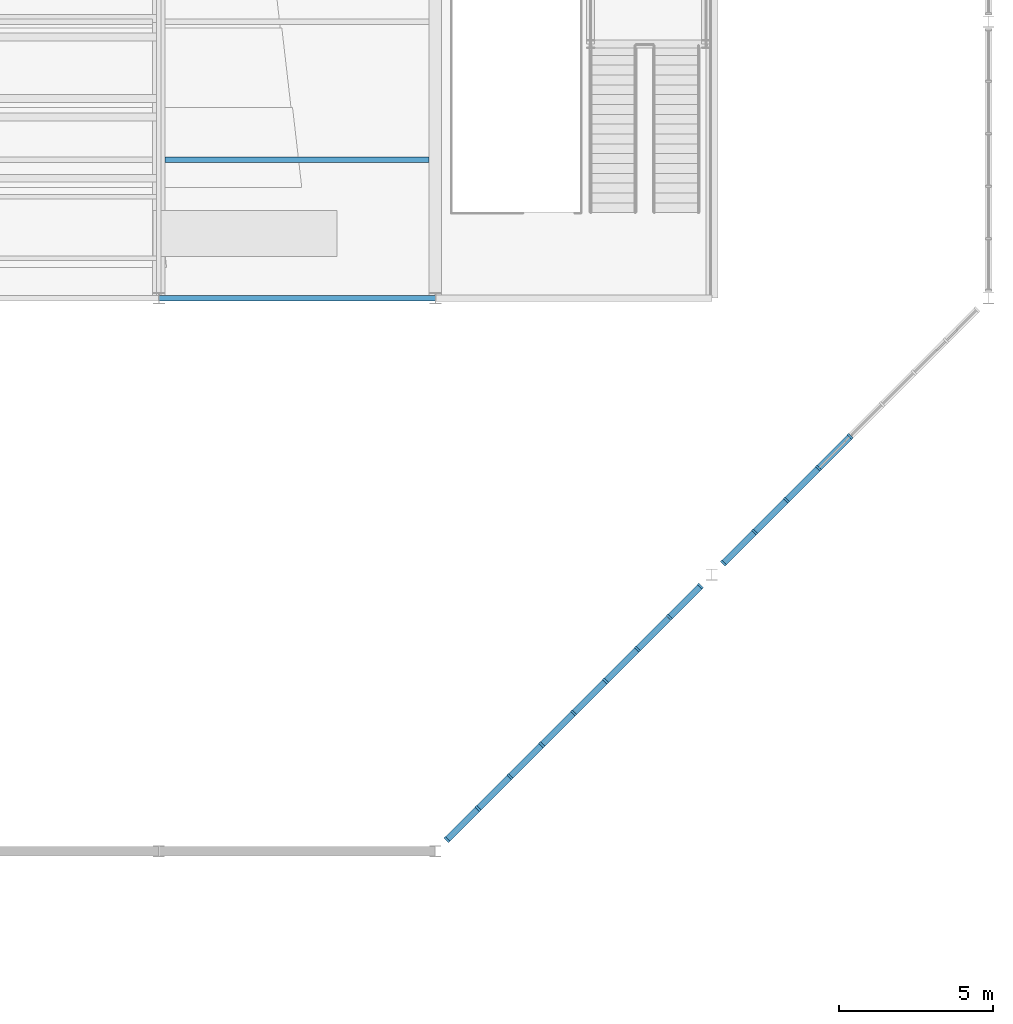
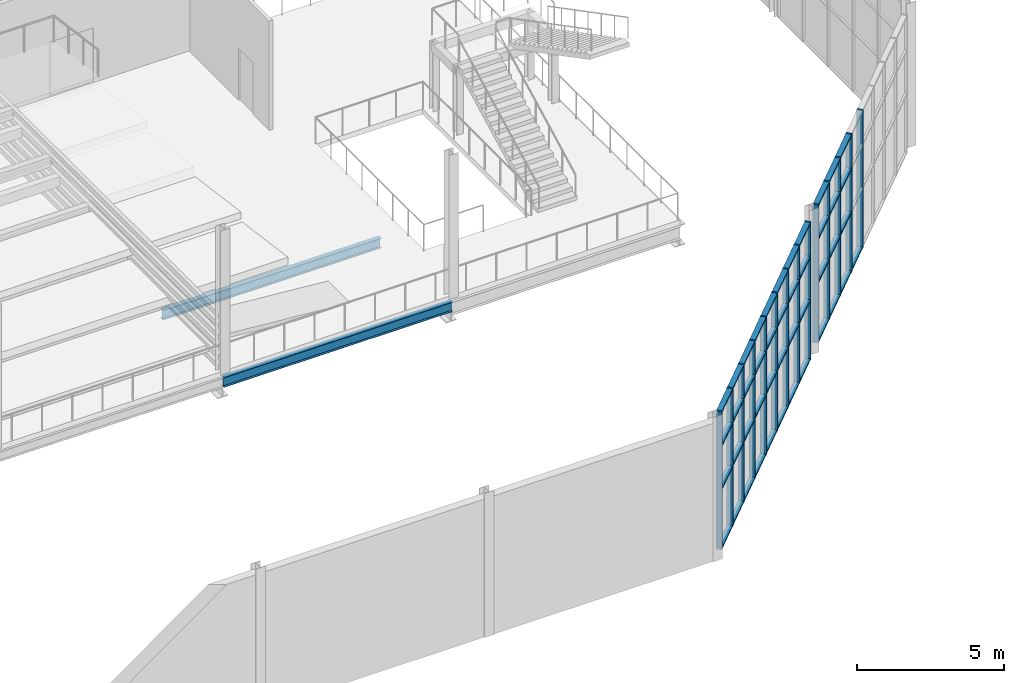
# One storey, part 28 of 159: 59 members, 2 beams, 2 elements without a shape of their own.
"""IFC4 building model written with IfcOpenShell, lengths in metres."""

import ifcopenshell
import ifcopenshell.guid

model = None  # the IFC model being written
_history = None  # IfcOwnerHistory: only IFC2X3 demands one
_inside = {}  # id of a spatial element -> (the spatial element, [elements in it])
_under = {}  # id of a project, library or spatial element -> (it, [spatial elements below it])
_declared = {}  # id of a project -> (the project, [libraries it declares])
_typed = {}  # id of a type object -> (the type object, [elements of that type])
_made_of = {}  # id of a material, layer set ... -> (it, [elements and type objects made of it])


def new_model(schema):
    """Start an empty IFC model of exactly this schema.

    Asked for "IFC4X3", IfcOpenShell would pick the latest addendum, in which some entities
    have other attributes; the version numbers below select the first issue.
    IFC2X3 requires an IfcOwnerHistory on every rooted entity: one is made here for all.
    """
    global model, _history
    if schema == "IFC4X3":
        model = ifcopenshell.file(schema_version=(4, 3, 0, 0))
    else:
        model = ifcopenshell.file(schema=schema)
    _inside.clear()
    _under.clear()
    _declared.clear()
    _typed.clear()
    _made_of.clear()
    _history = None
    if model.schema == "IFC2X3":
        org = make("IfcOrganization", Name="unknown")
        user = make(
            "IfcPersonAndOrganization",
            ThePerson=make("IfcPerson", FamilyName="unknown"),
            TheOrganization=org,
        )
        app = make(
            "IfcApplication",
            ApplicationDeveloper=org,
            Version="unknown",
            ApplicationFullName="unknown",
            ApplicationIdentifier="unknown",
        )
        _history = make(
            "IfcOwnerHistory",
            OwningUser=user,
            OwningApplication=app,
            ChangeAction="ADDED",
            CreationDate=0,
        )
    return model


def make(cls, **values):
    """One entity of the class cls with the attributes given. An attribute that is None is left unset."""
    return model.create_entity(
        cls, **{name: value for name, value in values.items() if value is not None}
    )


def rooted(cls, **values):
    """An entity with a GlobalId (a new one), such as an element, a storey or a relation."""
    return make(cls, GlobalId=ifcopenshell.guid.new(), OwnerHistory=_history, **values)


def si_unit(unit_type, name, prefix=None):
    """IfcSIUnit, for example si_unit("LENGTHUNIT", "METRE", prefix="MILLI")."""
    return make("IfcSIUnit", UnitType=unit_type, Prefix=prefix, Name=name)


def assignment(units):
    """IfcUnitAssignment: the units of a project."""
    return None if units is None else make("IfcUnitAssignment", Units=units)


def point(xyz):
    """IfcCartesianPoint."""
    return None if xyz is None else make("IfcCartesianPoint", Coordinates=xyz)


def direction(xyz):
    """IfcDirection."""
    return None if xyz is None else make("IfcDirection", DirectionRatios=xyz)


def frame(location, z_axis=None, x_axis=None):
    """IfcAxis2Placement3D, a coordinate frame: its origin and axes. An axis left out is left unset."""
    return make(
        "IfcAxis2Placement3D",
        Location=point(location),
        Axis=direction(z_axis),
        RefDirection=direction(x_axis),
    )


def frame_2d(location, x_axis=None):
    """IfcAxis2Placement2D, a coordinate frame in the plane: its origin and x axis."""
    return make(
        "IfcAxis2Placement2D", Location=point(location), RefDirection=direction(x_axis)
    )


def origin():
    """The frame at (0, 0, 0) with its axes left unset."""
    return frame((0.0, 0.0, 0.0))


def origin_2d():
    """The frame at (0, 0) in the plane with its x axis left unset."""
    return frame_2d((0.0, 0.0))


def place(relative_to, where):
    """IfcLocalPlacement: puts the frame where relative to a parent placement (None: the world)."""
    return make(
        "IfcLocalPlacement", PlacementRelTo=relative_to, RelativePlacement=where
    )


def context(
    kind, dimensions, precision=None, world=None, true_north=None, identifier=None
):
    """IfcGeometricRepresentationContext, for example the 3D "Model" context."""
    return make(
        "IfcGeometricRepresentationContext",
        ContextIdentifier=identifier,
        ContextType=kind,
        CoordinateSpaceDimension=dimensions,
        Precision=precision,
        WorldCoordinateSystem=world,
        TrueNorth=true_north,
    )


def subcontext(parent, identifier, kind, view, scale=None):
    """IfcGeometricRepresentationSubContext, for example "Body" below "Model"."""
    return make(
        "IfcGeometricRepresentationSubContext",
        ContextIdentifier=identifier,
        ContextType=kind,
        ParentContext=parent,
        TargetScale=scale,
        TargetView=view,
    )


def project(units=None, contexts=None):
    """IfcProject with its units and contexts."""
    return rooted(
        "IfcProject",
        Name="project",
        RepresentationContexts=contexts,
        UnitsInContext=assignment(units),
    )


def spatial(cls, under=None, at=None, **own):
    """A site, building, storey or space (cls), placed at a placement, below another one or the project."""
    s = rooted(cls, ObjectPlacement=at, **own)
    if under is not None:
        _under.setdefault(under.id(), (under, []))[1].append(s)
    return s


def profile(cls, at=None, kind="AREA", **sizes):
    """A parametric profile (cls). Its sizes go by their IFC names, for example OverallWidth=200.0."""
    return make(cls, ProfileType=kind, Position=at, **sizes)


def rectangle(**sizes):
    """IfcRectangleProfileDef."""
    return profile("IfcRectangleProfileDef", **sizes)


def i_section(**sizes):
    """IfcIShapeProfileDef."""
    return profile("IfcIShapeProfileDef", **sizes)


def extrude(swept, where, along, depth):
    """IfcExtrudedAreaSolid: the profile swept, set in the frame where, extruded along a direction by depth."""
    return make(
        "IfcExtrudedAreaSolid",
        SweptArea=swept,
        Position=where,
        ExtrudedDirection=direction(along),
        Depth=depth,
    )


def shape(context_of_items, identifier, shape_type, items):
    """IfcShapeRepresentation: the items that make up one representation, for example the "Body"."""
    return make(
        "IfcShapeRepresentation",
        ContextOfItems=context_of_items,
        RepresentationIdentifier=identifier,
        RepresentationType=shape_type,
        Items=items,
    )


def material(Name=None, Category=None):
    """IfcMaterial."""
    return make("IfcMaterial", Name=Name, Category=Category)


def layer(
    of_material, thickness, ventilated=None, Name=None, Category=None, Priority=None
):
    """IfcMaterialLayer: one layer of a wall or slab, of a material (None: an air gap)."""
    return make(
        "IfcMaterialLayer",
        Material=of_material,
        LayerThickness=thickness,
        IsVentilated=ventilated,
        Name=Name,
        Category=Category,
        Priority=Priority,
    )


def layer_set(layers, Name=None):
    """IfcMaterialLayerSet."""
    return make("IfcMaterialLayerSet", MaterialLayers=layers, LayerSetName=Name)


def material_profile(
    of_material, cross_section, Name=None, Category=None, Priority=None
):
    """IfcMaterialProfile: a cross section and its material."""
    return make(
        "IfcMaterialProfile",
        Name=Name,
        Material=of_material,
        Profile=cross_section,
        Priority=Priority,
        Category=Category,
    )


def profile_set(profiles, Name=None, composite=None):
    """IfcMaterialProfileSet."""
    return make(
        "IfcMaterialProfileSet",
        Name=Name,
        MaterialProfiles=profiles,
        CompositeProfile=composite,
    )


def made_of(thing, what):
    """Note that an element or type object is made of a material, layer set ...; save() writes the relation."""
    if what is not None:
        _made_of.setdefault(what.id(), (what, []))[1].append(thing)
    return thing


def type_object(cls, material=None, **own):
    """A type object (cls), such as IfcWallType, which elements share."""
    return made_of(rooted(cls, **own), material)


def element(
    cls,
    number,
    at=None,
    inside=None,
    cuts=None,
    type_object=None,
    material=None,
    context=None,
    identifier="Body",
    shape_type=None,
    held_by="IfcProductDefinitionShape",
    body=None,
    shapes=None,
    **own,
):
    """One element of the class cls, such as IfcWall. Its Tag is "e" and its number.

    at: its placement. inside: the storey or other place that contains it. cuts: it is an
    opening in that element (IfcRelVoidsElement). A single representation is given by context,
    identifier, shape_type and body (its items); several are given by shapes. held_by: the class
    of the entity that holds the representations. save() writes the other relations.
    """
    e = rooted(cls, Tag="e%d" % number, ObjectPlacement=at, **own)
    if body is not None:
        shapes = [shape(context, identifier, shape_type, body)]
    if shapes is not None:
        e.Representation = make(held_by, Representations=shapes)
    if inside is not None:
        _inside.setdefault(inside.id(), (inside, []))[1].append(e)
    if cuts is not None:
        rooted(
            "IfcRelVoidsElement", RelatingBuildingElement=cuts, RelatedOpeningElement=e
        )
    if type_object is not None:
        _typed.setdefault(type_object.id(), (type_object, []))[1].append(e)
    return made_of(e, material)


def aggregate(whole, parts):
    """IfcRelAggregates: a whole, such as a stair, and the parts it consists of."""
    return rooted("IfcRelAggregates", RelatingObject=whole, RelatedObjects=parts)


def save(model, path):
    """Write the relations noted so far, then the file.

    IfcRelAggregates (storeys below a building ...), IfcRelContainedInSpatialStructure (elements
    in a storey), IfcRelDefinesByType, IfcRelAssociatesMaterial and IfcRelDeclares: one each for
    every whole, place, type object, material and project.
    """
    for whole, parts in _under.values():
        aggregate(whole, parts)
    for where, things in _inside.values():
        rooted(
            "IfcRelContainedInSpatialStructure",
            RelatedElements=things,
            RelatingStructure=where,
        )
    for kind, things in _typed.values():
        rooted("IfcRelDefinesByType", RelatedObjects=things, RelatingType=kind)
    for what, things in _made_of.values():
        rooted("IfcRelAssociatesMaterial", RelatedObjects=things, RelatingMaterial=what)
    for by, libraries in _declared.values():
        rooted("IfcRelDeclares", RelatingContext=by, RelatedDefinitions=libraries)
    model.write(path)


model = new_model("IFC4")

# Units and contexts
model_context = context("Model", 3, precision=1e-05, world=origin(), true_north=direction((0.0, 1.0)))
body_context = subcontext(model_context, "Body", "Model", "MODEL_VIEW")
ifc_project = project(units=[si_unit("LENGTHUNIT", "METRE"), si_unit("AREAUNIT", "SQUARE_METRE"), si_unit("VOLUMEUNIT", "CUBIC_METRE"), si_unit("PLANEANGLEUNIT", "RADIAN"), si_unit("MASSUNIT", "GRAM", prefix="KILO")], contexts=[model_context])

# Site, building, storey
site_placement = place(None, origin())
site = spatial("IfcSite", under=ifc_project, at=site_placement, CompositionType="ELEMENT")
building_placement = place(site_placement, origin())
building = spatial("IfcBuilding", under=site, at=building_placement, Name="Cazmaro Siding Exhibition Halls", CompositionType="ELEMENT")
storey_placement = place(building_placement, frame((0.0, 0.0, 6.0)))
storey = spatial("IfcBuildingStorey", under=building, at=storey_placement, Name="L01", CompositionType="ELEMENT", Elevation=6.0)

# Curtain wall, members
ifc_material_1 = material(Name="Anodized Bronze Aluminum and Solar-Control Low-E Glazing", Category="aluminium")
ifc_layer = layer(ifc_material_1, 0.219970703125)
ifc_layer_set = layer_set([ifc_layer], Name="Anodized Bronze Aluminum and Solar-Control Low-E Glazing")
curtain_wall_type = type_object("IfcCurtainWallType", Name="CWS-03", PredefinedType="USERDEFINED", material=ifc_layer_set)
curtain_wall_1_placement = place(storey_placement, origin())
curtain_wall_1 = element("IfcCurtainWall", 1, at=curtain_wall_1_placement, inside=storey, type_object=curtain_wall_type, Name="Glazed Curtain Wall CWS-03 CW-212", ObjectType="GLAZED CURTAIN WALL", PredefinedType="USERDEFINED")
ifc_material_2 = material(Name="Anodized Bronze Extruded Aluminum", Category="aluminium")
ifc_material_profile_1 = material_profile(ifc_material_2, rectangle(XDim=0.219970703125, YDim=0.070068359375, at=origin_2d()), Name="CWM-03")
ifc_profile_set_1 = profile_set([ifc_material_profile_1], Name="Anodized Bronze Extruded Aluminum")
member_type_1 = type_object("IfcMemberType", Name="CWM-03", PredefinedType="MULLION", material=ifc_profile_set_1)
member_1_placement = place(storey_placement, frame((45.374755859375, 9.374755859375, 0.0), z_axis=(0.0, 0.0, 1.0), x_axis=(-0.707106781187, 0.707106781187, 0.0)))
member_1 = element("IfcMember", 2, at=member_1_placement, type_object=member_type_1, Name="CWS-03 mullion 1", PredefinedType="MULLION", context=body_context, shape_type="SweptSolid", body=[
    extrude(rectangle(XDim=0.219970703125, YDim=0.070068359375, at=origin_2d()), origin(), (0.0, 0.0, 1.0), 5.75),
])
member_2_placement = place(storey_placement, frame((46.387451171875, 10.387451171875, 0.0), z_axis=(0.0, 0.0, 1.0), x_axis=(-0.707106781187, 0.707106781187, 0.0)))
member_2 = element("IfcMember", 3, at=member_2_placement, type_object=member_type_1, Name="CWS-03 mullion 2", PredefinedType="MULLION", context=body_context, shape_type="SweptSolid", body=[
    extrude(rectangle(XDim=0.219970703125, YDim=0.070068359375, at=origin_2d()), origin(), (0.0, 0.0, 1.0), 5.75),
])
member_3_placement = place(storey_placement, frame((47.425048828125, 11.425048828125, 0.0), z_axis=(0.0, 0.0, 1.0), x_axis=(-0.707106781187, 0.707106781187, 0.0)))
member_3 = element("IfcMember", 4, at=member_3_placement, type_object=member_type_1, Name="CWS-03 mullion 3", PredefinedType="MULLION", context=body_context, shape_type="SweptSolid", body=[
    extrude(rectangle(XDim=0.219970703125, YDim=0.070068359375, at=origin_2d()), origin(), (0.0, 0.0, 1.0), 5.75),
])
member_4_placement = place(storey_placement, frame((48.46240234375, 12.46240234375, 0.0), z_axis=(0.0, 0.0, 1.0), x_axis=(-0.707106781187, 0.707106781187, 0.0)))
member_4 = element("IfcMember", 5, at=member_4_placement, type_object=member_type_1, Name="CWS-03 mullion 4", PredefinedType="MULLION", context=body_context, shape_type="SweptSolid", body=[
    extrude(rectangle(XDim=0.219970703125, YDim=0.070068359375, at=origin_2d()), origin(), (0.0, 0.0, 1.0), 5.75),
])
member_5_placement = place(storey_placement, frame((49.5, 13.5, 0.0), z_axis=(0.0, 0.0, 1.0), x_axis=(-0.707106781187, 0.707106781187, 0.0)))
member_5 = element("IfcMember", 6, at=member_5_placement, type_object=member_type_1, Name="CWS-03 mullion 5", PredefinedType="MULLION", context=body_context, shape_type="SweptSolid", body=[
    extrude(rectangle(XDim=0.219970703125, YDim=0.070068359375, at=origin_2d()), origin(), (0.0, 0.0, 1.0), 5.75),
])
member_6_placement = place(storey_placement, frame((50.53759765625, 14.53759765625, 0.0), z_axis=(0.0, 0.0, 1.0), x_axis=(-0.707106781187, 0.707106781187, 0.0)))
member_6 = element("IfcMember", 7, at=member_6_placement, type_object=member_type_1, Name="CWS-03 mullion 6", PredefinedType="MULLION", context=body_context, shape_type="SweptSolid", body=[
    extrude(rectangle(XDim=0.219970703125, YDim=0.070068359375, at=origin_2d()), origin(), (0.0, 0.0, 1.0), 5.75),
])
member_7_placement = place(storey_placement, frame((51.574951171875, 15.574951171875, 0.0), z_axis=(0.0, 0.0, 1.0), x_axis=(-0.707106781187, 0.707106781187, 0.0)))
member_7 = element("IfcMember", 8, at=member_7_placement, type_object=member_type_1, Name="CWS-03 mullion 7", PredefinedType="MULLION", context=body_context, shape_type="SweptSolid", body=[
    extrude(rectangle(XDim=0.219970703125, YDim=0.070068359375, at=origin_2d()), origin(), (0.0, 0.0, 1.0), 5.75),
])
member_8_placement = place(storey_placement, frame((52.612548828125, 16.612548828125, 0.0), z_axis=(0.0, 0.0, 1.0), x_axis=(-0.707106781187, 0.707106781187, 0.0)))
member_8 = element("IfcMember", 9, at=member_8_placement, type_object=member_type_1, Name="CWS-03 mullion 8", PredefinedType="MULLION", context=body_context, shape_type="SweptSolid", body=[
    extrude(rectangle(XDim=0.219970703125, YDim=0.070068359375, at=origin_2d()), origin(), (0.0, 0.0, 1.0), 5.75),
])
member_9_placement = place(storey_placement, frame((53.625244140625, 17.625244140625, 0.0), z_axis=(0.0, 0.0, 1.0), x_axis=(-0.707106781187, 0.707106781187, 0.0)))
member_9 = element("IfcMember", 10, at=member_9_placement, type_object=member_type_1, Name="CWS-03 mullion 9", PredefinedType="MULLION", context=body_context, shape_type="SweptSolid", body=[
    extrude(rectangle(XDim=0.219970703125, YDim=0.070068359375, at=origin_2d()), origin(), (0.0, 0.0, 1.0), 5.75),
])

curtain_wall_2_placement = place(storey_placement, origin())
curtain_wall_2 = element("IfcCurtainWall", 11, at=curtain_wall_2_placement, inside=storey, type_object=curtain_wall_type, Name="Glazed Curtain Wall CWS-03 CW-215", ObjectType="GLAZED CURTAIN WALL", PredefinedType="USERDEFINED")
member_10_placement = place(storey_placement, frame((54.374755859375, 18.374755859375, 0.0), z_axis=(0.0, 0.0, 1.0), x_axis=(-0.707106781187, 0.707106781187, 0.0)))
member_10 = element("IfcMember", 12, at=member_10_placement, type_object=member_type_1, Name="CWS-03 mullion 1", PredefinedType="MULLION", context=body_context, shape_type="SweptSolid", body=[
    extrude(rectangle(XDim=0.219970703125, YDim=0.070068359375, at=origin_2d()), origin(), (0.0, 0.0, 1.0), 5.75),
])
member_11_placement = place(storey_placement, frame((55.387451171875, 19.387451171875, 0.0), z_axis=(0.0, 0.0, 1.0), x_axis=(-0.707106781187, 0.707106781187, 0.0)))
member_11 = element("IfcMember", 13, at=member_11_placement, type_object=member_type_1, Name="CWS-03 mullion 2", PredefinedType="MULLION", context=body_context, shape_type="SweptSolid", body=[
    extrude(rectangle(XDim=0.219970703125, YDim=0.070068359375, at=origin_2d()), origin(), (0.0, 0.0, 1.0), 5.75),
])
member_12_placement = place(storey_placement, frame((56.425048828125, 20.425048828125, 0.0), z_axis=(0.0, 0.0, 1.0), x_axis=(-0.707106781187, 0.707106781187, 0.0)))
member_12 = element("IfcMember", 14, at=member_12_placement, type_object=member_type_1, Name="CWS-03 mullion 3", PredefinedType="MULLION", context=body_context, shape_type="SweptSolid", body=[
    extrude(rectangle(XDim=0.219970703125, YDim=0.070068359375, at=origin_2d()), origin(), (0.0, 0.0, 1.0), 5.75),
])
member_13_placement = place(storey_placement, frame((57.46240234375, 21.46240234375, 0.0), z_axis=(0.0, 0.0, 1.0), x_axis=(-0.707106781187, 0.707106781187, 0.0)))
member_13 = element("IfcMember", 15, at=member_13_placement, type_object=member_type_1, Name="CWS-03 mullion 4", PredefinedType="MULLION", context=body_context, shape_type="SweptSolid", body=[
    extrude(rectangle(XDim=0.219970703125, YDim=0.070068359375, at=origin_2d()), origin(), (0.0, 0.0, 1.0), 5.75),
])
member_14_placement = place(storey_placement, frame((58.5, 22.5, 0.0), z_axis=(0.0, 0.0, 1.0), x_axis=(-0.707106781187, 0.707106781187, 0.0)))
member_14 = element("IfcMember", 16, at=member_14_placement, type_object=member_type_1, Name="CWS-03 mullion 5", PredefinedType="MULLION", context=body_context, shape_type="SweptSolid", body=[
    extrude(rectangle(XDim=0.219970703125, YDim=0.070068359375, at=origin_2d()), origin(), (0.0, 0.0, 1.0), 5.75),
])

# Member
ifc_material_3 = material(Name="Anodized Bronze Extruded Aluminum", Category="aluminium")
ifc_material_profile_2 = material_profile(ifc_material_3, rectangle(XDim=0.199951171875, YDim=0.070068359375, at=origin_2d()), Name="CWT-03")
ifc_profile_set_2 = profile_set([ifc_material_profile_2], Name="Anodized Bronze Extruded Aluminum")
member_type_2 = type_object("IfcMemberType", Name="CWT-03", PredefinedType="MULLION", material=ifc_profile_set_2)
member_15_placement = place(storey_placement, frame((45.3994140625, 9.3994140625, 0.034912109375), z_axis=(0.707106781187, 0.707106781187, 0.0), x_axis=(-0.707106781187, 0.707106781187, 0.0)))
member_15 = element("IfcMember", 17, at=member_15_placement, type_object=member_type_2, Name="CWS-03 transom 1.1", ObjectType="TRANSOM", PredefinedType="USERDEFINED", context=body_context, shape_type="SweptSolid", body=[
    extrude(rectangle(XDim=0.199951171875, YDim=0.070068359375, at=origin_2d()), origin(), (0.0, 0.0, 1.0), 1.3623046875),
])

member_16_placement = place(storey_placement, frame((45.3994140625, 9.3994140625, 2.5), z_axis=(0.707106781187, 0.707106781187, 0.0), x_axis=(-0.707106781187, 0.707106781187, 0.0)))
member_16 = element("IfcMember", 18, at=member_16_placement, type_object=member_type_2, Name="CWS-03 transom 1.2", ObjectType="TRANSOM", PredefinedType="USERDEFINED", context=body_context, shape_type="SweptSolid", body=[
    extrude(rectangle(XDim=0.199951171875, YDim=0.070068359375, at=origin_2d()), origin(), (0.0, 0.0, 1.0), 1.3623046875),
])

member_17_placement = place(storey_placement, frame((45.3994140625, 9.3994140625, 4.300048828125), z_axis=(0.707106781187, 0.707106781187, 0.0), x_axis=(-0.707106781187, 0.707106781187, 0.0)))
member_17 = element("IfcMember", 19, at=member_17_placement, type_object=member_type_2, Name="CWS-03 transom 1.3", ObjectType="TRANSOM", PredefinedType="USERDEFINED", context=body_context, shape_type="SweptSolid", body=[
    extrude(rectangle(XDim=0.199951171875, YDim=0.070068359375, at=origin_2d()), origin(), (0.0, 0.0, 1.0), 1.3623046875),
])

member_18_placement = place(storey_placement, frame((45.3994140625, 9.3994140625, 5.715087890625), z_axis=(0.707106781187, 0.707106781187, 0.0), x_axis=(-0.707106781187, 0.707106781187, 0.0)))
member_18 = element("IfcMember", 20, at=member_18_placement, type_object=member_type_2, Name="CWS-03 transom 1.4", ObjectType="TRANSOM", PredefinedType="USERDEFINED", context=body_context, shape_type="SweptSolid", body=[
    extrude(rectangle(XDim=0.199951171875, YDim=0.070068359375, at=origin_2d()), origin(), (0.0, 0.0, 1.0), 1.3623046875),
])

member_19_placement = place(storey_placement, frame((46.412353515625, 10.412353515625, 0.034912109375), z_axis=(0.707106781187, 0.707106781187, 0.0), x_axis=(-0.707106781187, 0.707106781187, 0.0)))
member_19 = element("IfcMember", 21, at=member_19_placement, type_object=member_type_2, Name="CWS-03 transom 2.1", ObjectType="TRANSOM", PredefinedType="USERDEFINED", context=body_context, shape_type="SweptSolid", body=[
    extrude(rectangle(XDim=0.199951171875, YDim=0.070068359375, at=origin_2d()), origin(), (0.0, 0.0, 1.0), 1.39697265625),
])

member_20_placement = place(storey_placement, frame((46.412353515625, 10.412353515625, 2.5), z_axis=(0.707106781187, 0.707106781187, 0.0), x_axis=(-0.707106781187, 0.707106781187, 0.0)))
member_20 = element("IfcMember", 22, at=member_20_placement, type_object=member_type_2, Name="CWS-03 transom 2.2", ObjectType="TRANSOM", PredefinedType="USERDEFINED", context=body_context, shape_type="SweptSolid", body=[
    extrude(rectangle(XDim=0.199951171875, YDim=0.070068359375, at=origin_2d()), origin(), (0.0, 0.0, 1.0), 1.39697265625),
])

member_21_placement = place(storey_placement, frame((46.412353515625, 10.412353515625, 4.300048828125), z_axis=(0.707106781187, 0.707106781187, 0.0), x_axis=(-0.707106781187, 0.707106781187, 0.0)))
member_21 = element("IfcMember", 23, at=member_21_placement, type_object=member_type_2, Name="CWS-03 transom 2.3", ObjectType="TRANSOM", PredefinedType="USERDEFINED", context=body_context, shape_type="SweptSolid", body=[
    extrude(rectangle(XDim=0.199951171875, YDim=0.070068359375, at=origin_2d()), origin(), (0.0, 0.0, 1.0), 1.39697265625),
])

member_22_placement = place(storey_placement, frame((46.412353515625, 10.412353515625, 5.715087890625), z_axis=(0.707106781187, 0.707106781187, 0.0), x_axis=(-0.707106781187, 0.707106781187, 0.0)))
member_22 = element("IfcMember", 24, at=member_22_placement, type_object=member_type_2, Name="CWS-03 transom 2.4", ObjectType="TRANSOM", PredefinedType="USERDEFINED", context=body_context, shape_type="SweptSolid", body=[
    extrude(rectangle(XDim=0.199951171875, YDim=0.070068359375, at=origin_2d()), origin(), (0.0, 0.0, 1.0), 1.39697265625),
])

member_23_placement = place(storey_placement, frame((47.44970703125, 11.44970703125, 0.034912109375), z_axis=(0.707106781187, 0.707106781187, 0.0), x_axis=(-0.707106781187, 0.707106781187, 0.0)))
member_23 = element("IfcMember", 25, at=member_23_placement, type_object=member_type_2, Name="CWS-03 transom 3.1", ObjectType="TRANSOM", PredefinedType="USERDEFINED", context=body_context, shape_type="SweptSolid", body=[
    extrude(rectangle(XDim=0.199951171875, YDim=0.070068359375, at=origin_2d()), origin(), (0.0, 0.0, 1.0), 1.397216796875),
])

member_24_placement = place(storey_placement, frame((47.44970703125, 11.44970703125, 2.5), z_axis=(0.707106781187, 0.707106781187, 0.0), x_axis=(-0.707106781187, 0.707106781187, 0.0)))
member_24 = element("IfcMember", 26, at=member_24_placement, type_object=member_type_2, Name="CWS-03 transom 3.2", ObjectType="TRANSOM", PredefinedType="USERDEFINED", context=body_context, shape_type="SweptSolid", body=[
    extrude(rectangle(XDim=0.199951171875, YDim=0.070068359375, at=origin_2d()), origin(), (0.0, 0.0, 1.0), 1.397216796875),
])

member_25_placement = place(storey_placement, frame((47.44970703125, 11.44970703125, 4.300048828125), z_axis=(0.707106781187, 0.707106781187, 0.0), x_axis=(-0.707106781187, 0.707106781187, 0.0)))
member_25 = element("IfcMember", 27, at=member_25_placement, type_object=member_type_2, Name="CWS-03 transom 3.3", ObjectType="TRANSOM", PredefinedType="USERDEFINED", context=body_context, shape_type="SweptSolid", body=[
    extrude(rectangle(XDim=0.199951171875, YDim=0.070068359375, at=origin_2d()), origin(), (0.0, 0.0, 1.0), 1.397216796875),
])

member_26_placement = place(storey_placement, frame((47.44970703125, 11.44970703125, 5.715087890625), z_axis=(0.707106781187, 0.707106781187, 0.0), x_axis=(-0.707106781187, 0.707106781187, 0.0)))
member_26 = element("IfcMember", 28, at=member_26_placement, type_object=member_type_2, Name="CWS-03 transom 3.4", ObjectType="TRANSOM", PredefinedType="USERDEFINED", context=body_context, shape_type="SweptSolid", body=[
    extrude(rectangle(XDim=0.199951171875, YDim=0.070068359375, at=origin_2d()), origin(), (0.0, 0.0, 1.0), 1.397216796875),
])

member_27_placement = place(storey_placement, frame((48.4873046875, 12.4873046875, 0.034912109375), z_axis=(0.707106781187, 0.707106781187, 0.0), x_axis=(-0.707106781187, 0.707106781187, 0.0)))
member_27 = element("IfcMember", 29, at=member_27_placement, type_object=member_type_2, Name="CWS-03 transom 4.1", ObjectType="TRANSOM", PredefinedType="USERDEFINED", context=body_context, shape_type="SweptSolid", body=[
    extrude(rectangle(XDim=0.199951171875, YDim=0.070068359375, at=origin_2d()), origin(), (0.0, 0.0, 1.0), 1.397216796875),
])

member_28_placement = place(storey_placement, frame((48.4873046875, 12.4873046875, 2.5), z_axis=(0.707106781187, 0.707106781187, 0.0), x_axis=(-0.707106781187, 0.707106781187, 0.0)))
member_28 = element("IfcMember", 30, at=member_28_placement, type_object=member_type_2, Name="CWS-03 transom 4.2", ObjectType="TRANSOM", PredefinedType="USERDEFINED", context=body_context, shape_type="SweptSolid", body=[
    extrude(rectangle(XDim=0.199951171875, YDim=0.070068359375, at=origin_2d()), origin(), (0.0, 0.0, 1.0), 1.397216796875),
])

member_29_placement = place(storey_placement, frame((48.4873046875, 12.4873046875, 4.300048828125), z_axis=(0.707106781187, 0.707106781187, 0.0), x_axis=(-0.707106781187, 0.707106781187, 0.0)))
member_29 = element("IfcMember", 31, at=member_29_placement, type_object=member_type_2, Name="CWS-03 transom 4.3", ObjectType="TRANSOM", PredefinedType="USERDEFINED", context=body_context, shape_type="SweptSolid", body=[
    extrude(rectangle(XDim=0.199951171875, YDim=0.070068359375, at=origin_2d()), origin(), (0.0, 0.0, 1.0), 1.397216796875),
])

member_30_placement = place(storey_placement, frame((48.4873046875, 12.4873046875, 5.715087890625), z_axis=(0.707106781187, 0.707106781187, 0.0), x_axis=(-0.707106781187, 0.707106781187, 0.0)))
member_30 = element("IfcMember", 32, at=member_30_placement, type_object=member_type_2, Name="CWS-03 transom 4.4", ObjectType="TRANSOM", PredefinedType="USERDEFINED", context=body_context, shape_type="SweptSolid", body=[
    extrude(rectangle(XDim=0.199951171875, YDim=0.070068359375, at=origin_2d()), origin(), (0.0, 0.0, 1.0), 1.397216796875),
])

member_31_placement = place(storey_placement, frame((49.524658203125, 13.524658203125, 0.034912109375), z_axis=(0.707106781187, 0.707106781187, 0.0), x_axis=(-0.707106781187, 0.707106781187, 0.0)))
member_31 = element("IfcMember", 33, at=member_31_placement, type_object=member_type_2, Name="CWS-03 transom 5.1", ObjectType="TRANSOM", PredefinedType="USERDEFINED", context=body_context, shape_type="SweptSolid", body=[
    extrude(rectangle(XDim=0.199951171875, YDim=0.070068359375, at=origin_2d()), origin(), (0.0, 0.0, 1.0), 1.397216796875),
])

member_32_placement = place(storey_placement, frame((49.524658203125, 13.524658203125, 2.5), z_axis=(0.707106781187, 0.707106781187, 0.0), x_axis=(-0.707106781187, 0.707106781187, 0.0)))
member_32 = element("IfcMember", 34, at=member_32_placement, type_object=member_type_2, Name="CWS-03 transom 5.2", ObjectType="TRANSOM", PredefinedType="USERDEFINED", context=body_context, shape_type="SweptSolid", body=[
    extrude(rectangle(XDim=0.199951171875, YDim=0.070068359375, at=origin_2d()), origin(), (0.0, 0.0, 1.0), 1.397216796875),
])

member_33_placement = place(storey_placement, frame((49.524658203125, 13.524658203125, 4.300048828125), z_axis=(0.707106781187, 0.707106781187, 0.0), x_axis=(-0.707106781187, 0.707106781187, 0.0)))
member_33 = element("IfcMember", 35, at=member_33_placement, type_object=member_type_2, Name="CWS-03 transom 5.3", ObjectType="TRANSOM", PredefinedType="USERDEFINED", context=body_context, shape_type="SweptSolid", body=[
    extrude(rectangle(XDim=0.199951171875, YDim=0.070068359375, at=origin_2d()), origin(), (0.0, 0.0, 1.0), 1.397216796875),
])

member_34_placement = place(storey_placement, frame((49.524658203125, 13.524658203125, 5.715087890625), z_axis=(0.707106781187, 0.707106781187, 0.0), x_axis=(-0.707106781187, 0.707106781187, 0.0)))
member_34 = element("IfcMember", 36, at=member_34_placement, type_object=member_type_2, Name="CWS-03 transom 5.4", ObjectType="TRANSOM", PredefinedType="USERDEFINED", context=body_context, shape_type="SweptSolid", body=[
    extrude(rectangle(XDim=0.199951171875, YDim=0.070068359375, at=origin_2d()), origin(), (0.0, 0.0, 1.0), 1.397216796875),
])

member_35_placement = place(storey_placement, frame((50.562255859375, 14.562255859375, 0.034912109375), z_axis=(0.707106781187, 0.707106781187, 0.0), x_axis=(-0.707106781187, 0.707106781187, 0.0)))
member_35 = element("IfcMember", 37, at=member_35_placement, type_object=member_type_2, Name="CWS-03 transom 6.1", ObjectType="TRANSOM", PredefinedType="USERDEFINED", context=body_context, shape_type="SweptSolid", body=[
    extrude(rectangle(XDim=0.199951171875, YDim=0.070068359375, at=origin_2d()), origin(), (0.0, 0.0, 1.0), 1.397216796875),
])

member_36_placement = place(storey_placement, frame((50.562255859375, 14.562255859375, 2.5), z_axis=(0.707106781187, 0.707106781187, 0.0), x_axis=(-0.707106781187, 0.707106781187, 0.0)))
member_36 = element("IfcMember", 38, at=member_36_placement, type_object=member_type_2, Name="CWS-03 transom 6.2", ObjectType="TRANSOM", PredefinedType="USERDEFINED", context=body_context, shape_type="SweptSolid", body=[
    extrude(rectangle(XDim=0.199951171875, YDim=0.070068359375, at=origin_2d()), origin(), (0.0, 0.0, 1.0), 1.397216796875),
])

member_37_placement = place(storey_placement, frame((50.562255859375, 14.562255859375, 4.300048828125), z_axis=(0.707106781187, 0.707106781187, 0.0), x_axis=(-0.707106781187, 0.707106781187, 0.0)))
member_37 = element("IfcMember", 39, at=member_37_placement, type_object=member_type_2, Name="CWS-03 transom 6.3", ObjectType="TRANSOM", PredefinedType="USERDEFINED", context=body_context, shape_type="SweptSolid", body=[
    extrude(rectangle(XDim=0.199951171875, YDim=0.070068359375, at=origin_2d()), origin(), (0.0, 0.0, 1.0), 1.397216796875),
])

member_38_placement = place(storey_placement, frame((50.562255859375, 14.562255859375, 5.715087890625), z_axis=(0.707106781187, 0.707106781187, 0.0), x_axis=(-0.707106781187, 0.707106781187, 0.0)))
member_38 = element("IfcMember", 40, at=member_38_placement, type_object=member_type_2, Name="CWS-03 transom 6.4", ObjectType="TRANSOM", PredefinedType="USERDEFINED", context=body_context, shape_type="SweptSolid", body=[
    extrude(rectangle(XDim=0.199951171875, YDim=0.070068359375, at=origin_2d()), origin(), (0.0, 0.0, 1.0), 1.397216796875),
])

member_39_placement = place(storey_placement, frame((51.599853515625, 15.599853515625, 0.034912109375), z_axis=(0.707106781187, 0.707106781187, 0.0), x_axis=(-0.707106781187, 0.707106781187, 0.0)))
member_39 = element("IfcMember", 41, at=member_39_placement, type_object=member_type_2, Name="CWS-03 transom 7.1", ObjectType="TRANSOM", PredefinedType="USERDEFINED", context=body_context, shape_type="SweptSolid", body=[
    extrude(rectangle(XDim=0.199951171875, YDim=0.070068359375, at=origin_2d()), origin(), (0.0, 0.0, 1.0), 1.39697265625),
])

member_40_placement = place(storey_placement, frame((51.599853515625, 15.599853515625, 2.5), z_axis=(0.707106781187, 0.707106781187, 0.0), x_axis=(-0.707106781187, 0.707106781187, 0.0)))
member_40 = element("IfcMember", 42, at=member_40_placement, type_object=member_type_2, Name="CWS-03 transom 7.2", ObjectType="TRANSOM", PredefinedType="USERDEFINED", context=body_context, shape_type="SweptSolid", body=[
    extrude(rectangle(XDim=0.199951171875, YDim=0.070068359375, at=origin_2d()), origin(), (0.0, 0.0, 1.0), 1.39697265625),
])

member_41_placement = place(storey_placement, frame((51.599853515625, 15.599853515625, 4.300048828125), z_axis=(0.707106781187, 0.707106781187, 0.0), x_axis=(-0.707106781187, 0.707106781187, 0.0)))
member_41 = element("IfcMember", 43, at=member_41_placement, type_object=member_type_2, Name="CWS-03 transom 7.3", ObjectType="TRANSOM", PredefinedType="USERDEFINED", context=body_context, shape_type="SweptSolid", body=[
    extrude(rectangle(XDim=0.199951171875, YDim=0.070068359375, at=origin_2d()), origin(), (0.0, 0.0, 1.0), 1.39697265625),
])

member_42_placement = place(storey_placement, frame((51.599853515625, 15.599853515625, 5.715087890625), z_axis=(0.707106781187, 0.707106781187, 0.0), x_axis=(-0.707106781187, 0.707106781187, 0.0)))
member_42 = element("IfcMember", 44, at=member_42_placement, type_object=member_type_2, Name="CWS-03 transom 7.4", ObjectType="TRANSOM", PredefinedType="USERDEFINED", context=body_context, shape_type="SweptSolid", body=[
    extrude(rectangle(XDim=0.199951171875, YDim=0.070068359375, at=origin_2d()), origin(), (0.0, 0.0, 1.0), 1.39697265625),
])

member_43_placement = place(storey_placement, frame((52.63720703125, 16.63720703125, 0.034912109375), z_axis=(0.707106781187, 0.707106781187, 0.0), x_axis=(-0.707106781187, 0.707106781187, 0.0)))
member_43 = element("IfcMember", 45, at=member_43_placement, type_object=member_type_2, Name="CWS-03 transom 8.1", ObjectType="TRANSOM", PredefinedType="USERDEFINED", context=body_context, shape_type="SweptSolid", body=[
    extrude(rectangle(XDim=0.199951171875, YDim=0.070068359375, at=origin_2d()), origin(), (0.0, 0.0, 1.0), 1.3623046875),
])

member_44_placement = place(storey_placement, frame((52.63720703125, 16.63720703125, 2.5), z_axis=(0.707106781187, 0.707106781187, 0.0), x_axis=(-0.707106781187, 0.707106781187, 0.0)))
member_44 = element("IfcMember", 46, at=member_44_placement, type_object=member_type_2, Name="CWS-03 transom 8.2", ObjectType="TRANSOM", PredefinedType="USERDEFINED", context=body_context, shape_type="SweptSolid", body=[
    extrude(rectangle(XDim=0.199951171875, YDim=0.070068359375, at=origin_2d()), origin(), (0.0, 0.0, 1.0), 1.3623046875),
])

member_45_placement = place(storey_placement, frame((52.63720703125, 16.63720703125, 4.300048828125), z_axis=(0.707106781187, 0.707106781187, 0.0), x_axis=(-0.707106781187, 0.707106781187, 0.0)))
member_45 = element("IfcMember", 47, at=member_45_placement, type_object=member_type_2, Name="CWS-03 transom 8.3", ObjectType="TRANSOM", PredefinedType="USERDEFINED", context=body_context, shape_type="SweptSolid", body=[
    extrude(rectangle(XDim=0.199951171875, YDim=0.070068359375, at=origin_2d()), origin(), (0.0, 0.0, 1.0), 1.3623046875),
])

member_46_placement = place(storey_placement, frame((52.63720703125, 16.63720703125, 5.715087890625), z_axis=(0.707106781187, 0.707106781187, 0.0), x_axis=(-0.707106781187, 0.707106781187, 0.0)))
member_46 = element("IfcMember", 48, at=member_46_placement, type_object=member_type_2, Name="CWS-03 transom 8.4", ObjectType="TRANSOM", PredefinedType="USERDEFINED", context=body_context, shape_type="SweptSolid", body=[
    extrude(rectangle(XDim=0.199951171875, YDim=0.070068359375, at=origin_2d()), origin(), (0.0, 0.0, 1.0), 1.3623046875),
])

aggregate(curtain_wall_1, [member_1, member_2, member_3, member_4, member_5, member_6, member_7, member_8, member_9, member_15, member_16, member_17, member_18, member_19, member_20, member_21, member_22, member_23, member_24, member_25, member_26, member_27, member_28, member_29, member_30, member_31, member_32, member_33, member_34, member_35, member_36, member_37, member_38, member_39, member_40, member_41, member_42, member_43, member_44, member_45, member_46])

member_47_placement = place(storey_placement, frame((54.3994140625, 18.3994140625, 0.034912109375), z_axis=(0.707106781187, 0.707106781187, 0.0), x_axis=(-0.707106781187, 0.707106781187, 0.0)))
member_47 = element("IfcMember", 49, at=member_47_placement, type_object=member_type_2, Name="CWS-03 transom 1.1", ObjectType="TRANSOM", PredefinedType="USERDEFINED", context=body_context, shape_type="SweptSolid", body=[
    extrude(rectangle(XDim=0.199951171875, YDim=0.070068359375, at=origin_2d()), origin(), (0.0, 0.0, 1.0), 1.3623046875),
])

member_48_placement = place(storey_placement, frame((54.3994140625, 18.3994140625, 2.5), z_axis=(0.707106781187, 0.707106781187, 0.0), x_axis=(-0.707106781187, 0.707106781187, 0.0)))
member_48 = element("IfcMember", 50, at=member_48_placement, type_object=member_type_2, Name="CWS-03 transom 1.2", ObjectType="TRANSOM", PredefinedType="USERDEFINED", context=body_context, shape_type="SweptSolid", body=[
    extrude(rectangle(XDim=0.199951171875, YDim=0.070068359375, at=origin_2d()), origin(), (0.0, 0.0, 1.0), 1.3623046875),
])

member_49_placement = place(storey_placement, frame((54.3994140625, 18.3994140625, 4.300048828125), z_axis=(0.707106781187, 0.707106781187, 0.0), x_axis=(-0.707106781187, 0.707106781187, 0.0)))
member_49 = element("IfcMember", 51, at=member_49_placement, type_object=member_type_2, Name="CWS-03 transom 1.3", ObjectType="TRANSOM", PredefinedType="USERDEFINED", context=body_context, shape_type="SweptSolid", body=[
    extrude(rectangle(XDim=0.199951171875, YDim=0.070068359375, at=origin_2d()), origin(), (0.0, 0.0, 1.0), 1.3623046875),
])

member_50_placement = place(storey_placement, frame((54.3994140625, 18.3994140625, 5.715087890625), z_axis=(0.707106781187, 0.707106781187, 0.0), x_axis=(-0.707106781187, 0.707106781187, 0.0)))
member_50 = element("IfcMember", 52, at=member_50_placement, type_object=member_type_2, Name="CWS-03 transom 1.4", ObjectType="TRANSOM", PredefinedType="USERDEFINED", context=body_context, shape_type="SweptSolid", body=[
    extrude(rectangle(XDim=0.199951171875, YDim=0.070068359375, at=origin_2d()), origin(), (0.0, 0.0, 1.0), 1.3623046875),
])

member_51_placement = place(storey_placement, frame((55.412353515625, 19.412353515625, 0.034912109375), z_axis=(0.707106781187, 0.707106781187, 0.0), x_axis=(-0.707106781187, 0.707106781187, 0.0)))
member_51 = element("IfcMember", 53, at=member_51_placement, type_object=member_type_2, Name="CWS-03 transom 2.1", ObjectType="TRANSOM", PredefinedType="USERDEFINED", context=body_context, shape_type="SweptSolid", body=[
    extrude(rectangle(XDim=0.199951171875, YDim=0.070068359375, at=origin_2d()), origin(), (0.0, 0.0, 1.0), 1.39697265625),
])

member_52_placement = place(storey_placement, frame((55.412353515625, 19.412353515625, 2.5), z_axis=(0.707106781187, 0.707106781187, 0.0), x_axis=(-0.707106781187, 0.707106781187, 0.0)))
member_52 = element("IfcMember", 54, at=member_52_placement, type_object=member_type_2, Name="CWS-03 transom 2.2", ObjectType="TRANSOM", PredefinedType="USERDEFINED", context=body_context, shape_type="SweptSolid", body=[
    extrude(rectangle(XDim=0.199951171875, YDim=0.070068359375, at=origin_2d()), origin(), (0.0, 0.0, 1.0), 1.39697265625),
])

member_53_placement = place(storey_placement, frame((55.412353515625, 19.412353515625, 4.300048828125), z_axis=(0.707106781187, 0.707106781187, 0.0), x_axis=(-0.707106781187, 0.707106781187, 0.0)))
member_53 = element("IfcMember", 55, at=member_53_placement, type_object=member_type_2, Name="CWS-03 transom 2.3", ObjectType="TRANSOM", PredefinedType="USERDEFINED", context=body_context, shape_type="SweptSolid", body=[
    extrude(rectangle(XDim=0.199951171875, YDim=0.070068359375, at=origin_2d()), origin(), (0.0, 0.0, 1.0), 1.39697265625),
])

member_54_placement = place(storey_placement, frame((55.412353515625, 19.412353515625, 5.715087890625), z_axis=(0.707106781187, 0.707106781187, 0.0), x_axis=(-0.707106781187, 0.707106781187, 0.0)))
member_54 = element("IfcMember", 56, at=member_54_placement, type_object=member_type_2, Name="CWS-03 transom 2.4", ObjectType="TRANSOM", PredefinedType="USERDEFINED", context=body_context, shape_type="SweptSolid", body=[
    extrude(rectangle(XDim=0.199951171875, YDim=0.070068359375, at=origin_2d()), origin(), (0.0, 0.0, 1.0), 1.39697265625),
])

member_55_placement = place(storey_placement, frame((56.44970703125, 20.44970703125, 0.034912109375), z_axis=(0.707106781187, 0.707106781187, 0.0), x_axis=(-0.707106781187, 0.707106781187, 0.0)))
member_55 = element("IfcMember", 57, at=member_55_placement, type_object=member_type_2, Name="CWS-03 transom 3.1", ObjectType="TRANSOM", PredefinedType="USERDEFINED", context=body_context, shape_type="SweptSolid", body=[
    extrude(rectangle(XDim=0.199951171875, YDim=0.070068359375, at=origin_2d()), origin(), (0.0, 0.0, 1.0), 1.397216796875),
])

member_56_placement = place(storey_placement, frame((56.44970703125, 20.44970703125, 2.5), z_axis=(0.707106781187, 0.707106781187, 0.0), x_axis=(-0.707106781187, 0.707106781187, 0.0)))
member_56 = element("IfcMember", 58, at=member_56_placement, type_object=member_type_2, Name="CWS-03 transom 3.2", ObjectType="TRANSOM", PredefinedType="USERDEFINED", context=body_context, shape_type="SweptSolid", body=[
    extrude(rectangle(XDim=0.199951171875, YDim=0.070068359375, at=origin_2d()), origin(), (0.0, 0.0, 1.0), 1.397216796875),
])

member_57_placement = place(storey_placement, frame((56.44970703125, 20.44970703125, 4.300048828125), z_axis=(0.707106781187, 0.707106781187, 0.0), x_axis=(-0.707106781187, 0.707106781187, 0.0)))
member_57 = element("IfcMember", 59, at=member_57_placement, type_object=member_type_2, Name="CWS-03 transom 3.3", ObjectType="TRANSOM", PredefinedType="USERDEFINED", context=body_context, shape_type="SweptSolid", body=[
    extrude(rectangle(XDim=0.199951171875, YDim=0.070068359375, at=origin_2d()), origin(), (0.0, 0.0, 1.0), 1.397216796875),
])

member_58_placement = place(storey_placement, frame((56.44970703125, 20.44970703125, 5.715087890625), z_axis=(0.707106781187, 0.707106781187, 0.0), x_axis=(-0.707106781187, 0.707106781187, 0.0)))
member_58 = element("IfcMember", 60, at=member_58_placement, type_object=member_type_2, Name="CWS-03 transom 3.4", ObjectType="TRANSOM", PredefinedType="USERDEFINED", context=body_context, shape_type="SweptSolid", body=[
    extrude(rectangle(XDim=0.199951171875, YDim=0.070068359375, at=origin_2d()), origin(), (0.0, 0.0, 1.0), 1.397216796875),
])

member_59_placement = place(storey_placement, frame((57.4873046875, 21.4873046875, 0.034912109375), z_axis=(0.707106781187, 0.707106781187, 0.0), x_axis=(-0.707106781187, 0.707106781187, 0.0)))
member_59 = element("IfcMember", 61, at=member_59_placement, type_object=member_type_2, Name="CWS-03 transom 4.1", ObjectType="TRANSOM", PredefinedType="USERDEFINED", context=body_context, shape_type="SweptSolid", body=[
    extrude(rectangle(XDim=0.199951171875, YDim=0.070068359375, at=origin_2d()), origin(), (0.0, 0.0, 1.0), 1.397216796875),
])

aggregate(curtain_wall_2, [member_10, member_11, member_12, member_13, member_14, member_47, member_48, member_49, member_50, member_51, member_52, member_53, member_54, member_55, member_56, member_57, member_58, member_59])

# Beams
ifc_material_4 = material(Name="Steel ASTM A992 Grade 50", Category="steel")
ifc_material_profile_3 = material_profile(ifc_material_4, i_section(OverallWidth=0.177978515625, OverallDepth=0.406005859375, WebThickness=0.008056640625, FlangeThickness=0.012939453125, at=origin_2d()), Name="W16X40")
ifc_profile_set_3 = profile_set([ifc_material_profile_3], Name="Steel ASTM A992 Grade 50")
beam_type = type_object("IfcBeamType", Name="J-02", PredefinedType="JOIST", material=ifc_profile_set_3)
beam_1_placement = place(storey_placement, frame((36.0, 27.0, -0.423095703125), z_axis=(1.0, 0.0, 0.0), x_axis=(0.0, 1.0, 0.0)))
element("IfcBeam", 62, at=beam_1_placement, inside=storey, type_object=beam_type, Name="Beam J-02 BM-1785", PredefinedType="JOIST", context=body_context, shape_type="SweptSolid", body=[
    extrude(i_section(OverallWidth=0.177978515625, OverallDepth=0.406005859375, WebThickness=0.008056640625, FlangeThickness=0.012939453125, at=origin_2d()), origin(), (0.0, 0.0, 1.0), 9.0),
])
beam_2_placement = place(storey_placement, frame((36.201904296875, 31.5, -0.423095703125), z_axis=(1.0, 0.0, 0.0), x_axis=(0.0, 1.0, 0.0)))
element("IfcBeam", 63, at=beam_2_placement, inside=storey, type_object=beam_type, Name="Beam J-02 BM-1790", PredefinedType="JOIST", context=body_context, shape_type="SweptSolid", body=[
    extrude(i_section(OverallWidth=0.177978515625, OverallDepth=0.406005859375, WebThickness=0.008056640625, FlangeThickness=0.012939453125, at=origin_2d()), origin(), (0.0, 0.0, 1.0), 8.59619140625),
])

save(model, "model.ifc")
